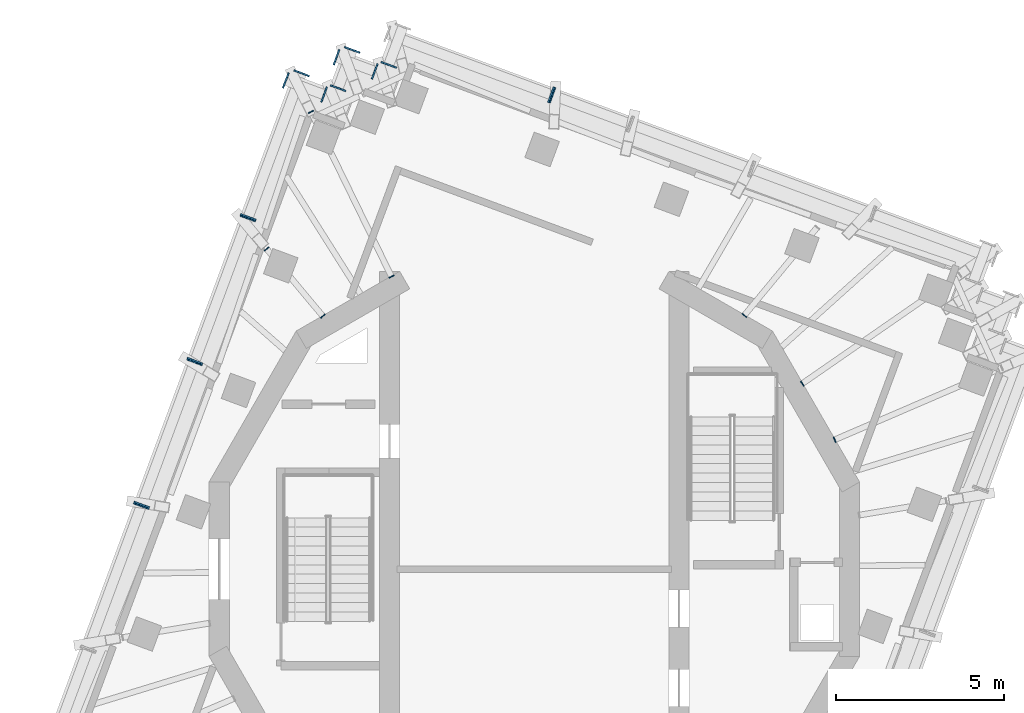
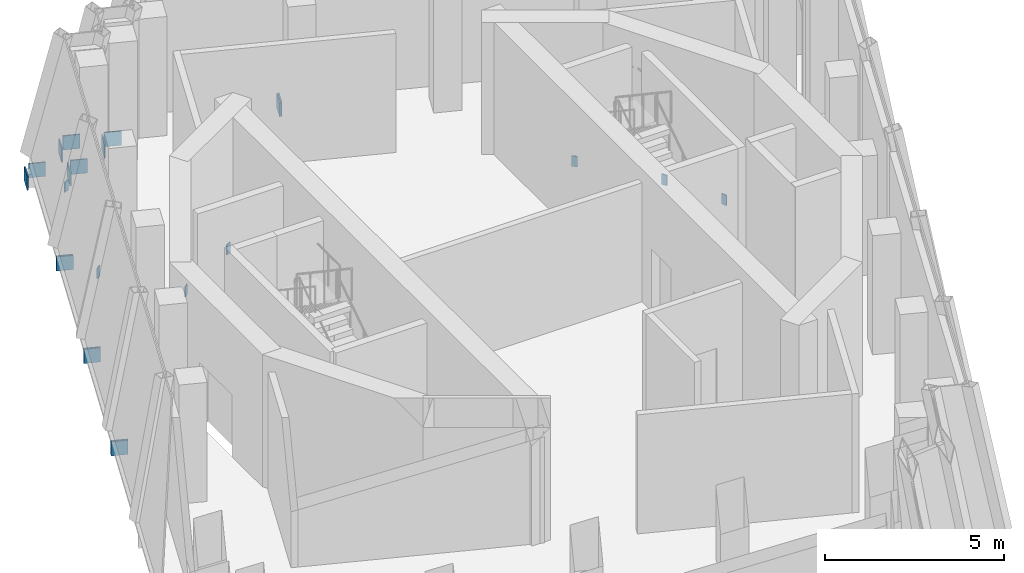
# One storey, part 9 of 11: 23 discrete accessories, 10 elements without a shape of their own.
"""IFC4 building model written with IfcOpenShell, lengths in metres."""

from ifc_helpers import new_model, si_unit, direction, frame, origin, place, context, subcontext, project, spatial, polyline, outline, extrude, material, layer, layer_set, type_object, element, aggregate, save


model = new_model("IFC4")

# Units and contexts
model_context = context("Model", 3, precision=1e-05, world=origin(), true_north=direction((0.0, 1.0)))
body_context = subcontext(model_context, "Body", "Model", "MODEL_VIEW")
ifc_project = project(units=[si_unit("LENGTHUNIT", "METRE"), si_unit("AREAUNIT", "SQUARE_METRE"), si_unit("VOLUMEUNIT", "CUBIC_METRE"), si_unit("PLANEANGLEUNIT", "RADIAN"), si_unit("MASSUNIT", "GRAM", prefix="KILO")], contexts=[model_context])

# Site, building, storey
site_placement = place(None, origin())
site = spatial("IfcSite", under=ifc_project, at=site_placement, CompositionType="ELEMENT")
building_placement = place(site_placement, origin())
building = spatial("IfcBuilding", under=site, at=building_placement, Name="Cantera Rosa Tower", CompositionType="ELEMENT")
storey_placement = place(building_placement, frame((0.0, 0.0, 365.199951171875)))
storey = spatial("IfcBuildingStorey", under=building, at=storey_placement, Name="L82", CompositionType="ELEMENT", Elevation=365.199951171875)

# Curtain wall, discrete accessory
ifc_material_1 = material(Name="Aluminium frame with clear glass", Category="aluminium")
curtain_wall_type = type_object("IfcCurtainWallType", Name="CW4 CROWN GLAZING", PredefinedType="NOTDEFINED", material=ifc_material_1)
curtain_wall_1_placement = place(storey_placement, origin())
curtain_wall_1 = element("IfcCurtainWall", 1, at=curtain_wall_1_placement, inside=storey, type_object=curtain_wall_type, Name="CW4 L82-04", PredefinedType="NOTDEFINED")
ifc_material_2 = material(Name="Steel S355J2 (EN 10025-2)", Category="steel")
ifc_layer = layer(ifc_material_2, 0.030029296875)
ifc_layer_set = layer_set([ifc_layer], Name="NODE PLATE 30")
discrete_accessory_type = type_object("IfcDiscreteAccessoryType", Name="NODE PLATE 30", PredefinedType="ANCHORPLATE", material=ifc_layer_set)
discrete_accessory_1_placement = place(storey_placement, frame((0.39453125, 13.871337890625, -0.43505859375), z_axis=(-0.937576914778, 0.347777987911, 0.0), x_axis=(0.347777987911, 0.937576914778, 0.0)))
discrete_accessory_1 = element("IfcDiscreteAccessory", 2, at=discrete_accessory_1_placement, type_object=discrete_accessory_type, Name="END PLATE TE1", PredefinedType="ANCHORPLATE", context=body_context, shape_type="SweptSolid", body=[
    extrude(outline(polyline([(0.0, 0.0), (0.4801689391068604, 0.0), (0.4801689391068604, 0.47998046875), (0.0, 0.47998046875), (0.0, 0.0)])), origin(), (0.0, 0.0, -1.0), 0.0400390625),
])
aggregate(curtain_wall_1, [discrete_accessory_1])

curtain_wall_2_placement = place(storey_placement, origin())
curtain_wall_2 = element("IfcCurtainWall", 3, at=curtain_wall_2_placement, inside=storey, type_object=curtain_wall_type, Name="CW4 L82-05", PredefinedType="NOTDEFINED")
discrete_accessory_2_placement = place(storey_placement, frame((0.636474609375, 14.293701171875, -0.43505859375), z_axis=(0.937742626232, -0.347330918501, 0.0), x_axis=(-0.347330918501, -0.937742626232, 0.0)))
discrete_accessory_2 = element("IfcDiscreteAccessory", 4, at=discrete_accessory_2_placement, type_object=discrete_accessory_type, Name="END PLATE TE0", PredefinedType="ANCHORPLATE", context=body_context, shape_type="SweptSolid", body=[
    extrude(outline(polyline([(0.0, 0.0), (0.4800840869406107, 0.0), (0.4800840869406107, 0.47998046875), (0.0, 0.47998046875), (0.0, 0.0)])), origin(), (0.0, 0.0, -1.0), 0.0400390625),
])
aggregate(curtain_wall_2, [discrete_accessory_2])

curtain_wall_3_placement = place(storey_placement, origin())
curtain_wall_3 = element("IfcCurtainWall", 5, at=curtain_wall_3_placement, inside=storey, type_object=curtain_wall_type, Name="CW4 L82-06", PredefinedType="NOTDEFINED")
discrete_accessory_3_placement = place(storey_placement, frame((-4.104248046875, 14.873046875, -0.43505859375), z_axis=(-0.347330918501, -0.937742626232, 0.0), x_axis=(-0.937742626232, 0.347330918501, 0.0)))
discrete_accessory_3 = element("IfcDiscreteAccessory", 6, at=discrete_accessory_3_placement, type_object=discrete_accessory_type, Name="END PLATE TE1", PredefinedType="ANCHORPLATE", context=body_context, shape_type="SweptSolid", body=[
    extrude(outline(polyline([(0.0, 0.0), (0.4800840869406107, 0.0), (0.4800840869406107, 0.47998046875), (0.0, 0.47998046875), (0.0, 0.0)])), origin(), (0.0, 0.0, -1.0), 0.0400390625),
])
aggregate(curtain_wall_3, [discrete_accessory_3])

# Curtain wall, discrete accessories
curtain_wall_4_placement = place(storey_placement, origin())
curtain_wall_4 = element("IfcCurtainWall", 7, at=curtain_wall_4_placement, inside=storey, type_object=curtain_wall_type, Name="CW4 L82-07", PredefinedType="NOTDEFINED")
discrete_accessory_4_placement = place(storey_placement, frame((-4.6376953125, 14.99951171875, -0.43505859375), z_axis=(0.937681233018, -0.347496626235, 0.0), x_axis=(-0.347496626235, -0.937681233018, 0.0)))
discrete_accessory_4 = element("IfcDiscreteAccessory", 8, at=discrete_accessory_4_placement, type_object=discrete_accessory_type, Name="END PLATE TE0", PredefinedType="ANCHORPLATE", context=body_context, shape_type="SweptSolid", body=[
    extrude(outline(polyline([(0.0, 0.0), (0.4798551533622547, 0.0), (0.4798551533622547, 0.47998046875), (0.0, 0.47998046875), (0.0, 0.0)])), origin(), (0.0, 0.0, -1.0), 0.0400390625),
])
discrete_accessory_5_placement = place(storey_placement, frame((-5.9775390625, 14.984130859375, -0.43505859375), z_axis=(-0.937576914778, 0.347777987911, 0.0), x_axis=(0.347777987911, 0.937576914778, 0.0)))
discrete_accessory_5 = element("IfcDiscreteAccessory", 9, at=discrete_accessory_5_placement, type_object=discrete_accessory_type, Name="END PLATE TE1", PredefinedType="ANCHORPLATE", context=body_context, shape_type="SweptSolid", body=[
    extrude(outline(polyline([(0.0, 0.0), (0.4801689391068604, 0.0), (0.4801689391068604, 0.47998046875), (0.0, 0.47998046875), (0.0, 0.0)])), origin(), (0.0, 0.0, -1.0), 0.0400390625),
])
aggregate(curtain_wall_4, [discrete_accessory_4, discrete_accessory_5])

curtain_wall_5_placement = place(storey_placement, origin())
curtain_wall_5 = element("IfcCurtainWall", 10, at=curtain_wall_5_placement, inside=storey, type_object=curtain_wall_type, Name="CW4 L82-08", PredefinedType="NOTDEFINED")
discrete_accessory_6_placement = place(storey_placement, frame((-5.625, 15.520751953125, -0.43505859375), z_axis=(0.347496626235, 0.937681233018, 0.0), x_axis=(0.937681233018, -0.347496626235, 0.0)))
discrete_accessory_6 = element("IfcDiscreteAccessory", 11, at=discrete_accessory_6_placement, type_object=discrete_accessory_type, Name="END PLATE TE0", PredefinedType="ANCHORPLATE", context=body_context, shape_type="SweptSolid", body=[
    extrude(outline(polyline([(0.0, 0.0), (0.4798551533622547, 0.0), (0.4798551533622547, 0.47998046875), (0.0, 0.47998046875), (0.0, 0.0)])), origin(), (0.0, 0.0, -1.0), 0.0400390625),
])
discrete_accessory_7_placement = place(storey_placement, frame((-5.609619140625, 14.180908203125, -0.43505859375), z_axis=(-0.347330918501, -0.937742626232, 0.0), x_axis=(-0.937742626232, 0.347330918501, 0.0)))
discrete_accessory_7 = element("IfcDiscreteAccessory", 12, at=discrete_accessory_7_placement, type_object=discrete_accessory_type, Name="END PLATE TE1", PredefinedType="ANCHORPLATE", context=body_context, shape_type="SweptSolid", body=[
    extrude(outline(polyline([(0.0, 0.0), (0.4800840869406107, 0.0), (0.4800840869406107, 0.47998046875), (0.0, 0.47998046875), (0.0, 0.0)])), origin(), (0.0, 0.0, -1.0), 0.0400390625),
])
aggregate(curtain_wall_5, [discrete_accessory_6, discrete_accessory_7])

curtain_wall_6_placement = place(storey_placement, origin())
curtain_wall_6 = element("IfcCurtainWall", 13, at=curtain_wall_6_placement, inside=storey, type_object=curtain_wall_type, Name="CW4 L82-09", PredefinedType="NOTDEFINED")
discrete_accessory_8_placement = place(storey_placement, frame((-6.143310546875, 14.308837890625, -0.43505859375), z_axis=(0.937576914778, -0.347777987911, 0.0), x_axis=(-0.347777987911, -0.937576914778, 0.0)))
discrete_accessory_8 = element("IfcDiscreteAccessory", 14, at=discrete_accessory_8_placement, type_object=discrete_accessory_type, Name="END PLATE TE0", PredefinedType="ANCHORPLATE", context=body_context, shape_type="SweptSolid", body=[
    extrude(outline(polyline([(0.0, 0.0), (0.4801689391068604, 0.0), (0.4801689391068604, 0.47998046875), (0.0, 0.47998046875), (0.0, 0.0)])), origin(), (0.0, 0.0, -1.0), 0.0400390625),
])
discrete_accessory_9_placement = place(storey_placement, frame((-7.483154296875, 14.29345703125, -0.43505859375), z_axis=(-0.937742626232, 0.347330918501, 0.0), x_axis=(0.347330918501, 0.937742626232, 0.0)))
discrete_accessory_9 = element("IfcDiscreteAccessory", 15, at=discrete_accessory_9_placement, type_object=discrete_accessory_type, Name="END PLATE TE1", PredefinedType="ANCHORPLATE", context=body_context, shape_type="SweptSolid", body=[
    extrude(outline(polyline([(0.0, 0.0), (0.4800840869406107, 0.0), (0.4800840869406107, 0.47998046875), (0.0, 0.47998046875), (0.0, 0.0)])), origin(), (0.0, 0.0, -1.0), 0.0400390625),
])
aggregate(curtain_wall_6, [discrete_accessory_8, discrete_accessory_9])

curtain_wall_7_placement = place(storey_placement, origin())
curtain_wall_7 = element("IfcCurtainWall", 16, at=curtain_wall_7_placement, inside=storey, type_object=curtain_wall_type, Name="CW4 L82-10", PredefinedType="NOTDEFINED")
discrete_accessory_10_placement = place(storey_placement, frame((-7.13037109375, 14.82861328125, -0.43505859375), z_axis=(0.347330918501, 0.937742626232, 0.0), x_axis=(0.937742626232, -0.347330918501, 0.0)))
discrete_accessory_10 = element("IfcDiscreteAccessory", 17, at=discrete_accessory_10_placement, type_object=discrete_accessory_type, Name="END PLATE TE0", PredefinedType="ANCHORPLATE", context=body_context, shape_type="SweptSolid", body=[
    extrude(outline(polyline([(0.0, 0.0), (0.4800840869406107, 0.0), (0.4800840869406107, 0.47998046875), (0.0, 0.47998046875), (0.0, 0.0)])), origin(), (0.0, 0.0, -1.0), 0.0400390625),
])
discrete_accessory_11_placement = place(storey_placement, frame((-8.290771484375, 10.31591796875, -0.43505859375), z_axis=(-0.347330918501, -0.937742626232, 0.0), x_axis=(-0.937742626232, 0.347330918501, 0.0)))
discrete_accessory_11 = element("IfcDiscreteAccessory", 18, at=discrete_accessory_11_placement, type_object=discrete_accessory_type, Name="END PLATE TE1", PredefinedType="ANCHORPLATE", context=body_context, shape_type="SweptSolid", body=[
    extrude(outline(polyline([(0.0, 0.0), (0.4800840869406107, 0.0), (0.4800840869406107, 0.47998046875), (0.0, 0.47998046875), (0.0, 0.0)])), origin(), (0.0, 0.0, -1.0), 0.0400390625),
])
aggregate(curtain_wall_7, [discrete_accessory_10, discrete_accessory_11])

curtain_wall_8_placement = place(storey_placement, origin())
curtain_wall_8 = element("IfcCurtainWall", 19, at=curtain_wall_8_placement, inside=storey, type_object=curtain_wall_type, Name="CW4 L82-11", PredefinedType="NOTDEFINED")
discrete_accessory_12_placement = place(storey_placement, frame((-8.713134765625, 10.5576171875, -0.43505859375), z_axis=(0.347330918501, 0.937742626232, 0.0), x_axis=(0.937742626232, -0.347330918501, 0.0)))
discrete_accessory_12 = element("IfcDiscreteAccessory", 20, at=discrete_accessory_12_placement, type_object=discrete_accessory_type, Name="END PLATE TE0", PredefinedType="ANCHORPLATE", context=body_context, shape_type="SweptSolid", body=[
    extrude(outline(polyline([(0.0, 0.0), (0.4800840869406107, 0.0), (0.4800840869406107, 0.47998046875), (0.0, 0.47998046875), (0.0, 0.0)])), origin(), (0.0, 0.0, -1.0), 0.0400390625),
])
discrete_accessory_13_placement = place(storey_placement, frame((-9.87353515625, 6.044921875, -0.43505859375), z_axis=(-0.347496626235, -0.937681233018, 0.0), x_axis=(-0.937681233018, 0.347496626235, 0.0)))
discrete_accessory_13 = element("IfcDiscreteAccessory", 21, at=discrete_accessory_13_placement, type_object=discrete_accessory_type, Name="END PLATE TE1", PredefinedType="ANCHORPLATE", context=body_context, shape_type="SweptSolid", body=[
    extrude(outline(polyline([(0.0, 0.0), (0.4798551533622547, 0.0), (0.4798551533622547, 0.47998046875), (0.0, 0.47998046875), (0.0, 0.0)])), origin(), (0.0, 0.0, -1.0), 0.0400390625),
])
aggregate(curtain_wall_8, [discrete_accessory_12, discrete_accessory_13])

curtain_wall_9_placement = place(storey_placement, origin())
curtain_wall_9 = element("IfcCurtainWall", 22, at=curtain_wall_9_placement, inside=storey, type_object=curtain_wall_type, Name="CW4 L82-12", PredefinedType="NOTDEFINED")
discrete_accessory_14_placement = place(storey_placement, frame((-10.295654296875, 6.28662109375, -0.43505859375), z_axis=(0.347496626235, 0.937681233018, 0.0), x_axis=(0.937681233018, -0.347496626235, 0.0)))
discrete_accessory_14 = element("IfcDiscreteAccessory", 23, at=discrete_accessory_14_placement, type_object=discrete_accessory_type, Name="END PLATE TE0", PredefinedType="ANCHORPLATE", context=body_context, shape_type="SweptSolid", body=[
    extrude(outline(polyline([(0.0, 0.0), (0.4798551533622547, 0.0), (0.4798551533622547, 0.47998046875), (0.0, 0.47998046875), (0.0, 0.0)])), origin(), (0.0, 0.0, -1.0), 0.0400390625),
])
discrete_accessory_15_placement = place(storey_placement, frame((-11.4560546875, 1.77392578125, -0.43505859375), z_axis=(-0.347330918501, -0.937742626232, 0.0), x_axis=(-0.937742626232, 0.347330918501, 0.0)))
discrete_accessory_15 = element("IfcDiscreteAccessory", 24, at=discrete_accessory_15_placement, type_object=discrete_accessory_type, Name="END PLATE TE1", PredefinedType="ANCHORPLATE", context=body_context, shape_type="SweptSolid", body=[
    extrude(outline(polyline([(0.0, 0.0), (0.4800840869406107, 0.0), (0.4800840869406107, 0.47998046875), (0.0, 0.47998046875), (0.0, 0.0)])), origin(), (0.0, 0.0, -1.0), 0.0400390625),
])
aggregate(curtain_wall_9, [discrete_accessory_14, discrete_accessory_15])

# Curtain wall, discrete accessory
curtain_wall_10_placement = place(storey_placement, origin())
curtain_wall_10 = element("IfcCurtainWall", 25, at=curtain_wall_10_placement, inside=storey, type_object=curtain_wall_type, Name="CW4 L82-13", PredefinedType="NOTDEFINED")
discrete_accessory_16_placement = place(storey_placement, frame((-11.87841796875, 2.015869140625, -0.43505859375), z_axis=(0.347943850259, 0.93751537431, 0.0), x_axis=(0.93751537431, -0.347943850259, 0.0)))
discrete_accessory_16 = element("IfcDiscreteAccessory", 26, at=discrete_accessory_16_placement, type_object=discrete_accessory_type, Name="END PLATE TE0", PredefinedType="ANCHORPLATE", context=body_context, shape_type="SweptSolid", body=[
    extrude(outline(polyline([(0.0, 0.0), (0.47994004600337425, 0.0), (0.47994004600337425, 0.47998046875), (0.0, 0.47998046875), (0.0, 0.0)])), origin(), (0.0, 0.0, -1.0), 0.0400390625),
])
aggregate(curtain_wall_10, [discrete_accessory_16])

# Discrete accessories
discrete_accessory_17_placement = place(storey_placement, frame((0.0, 0.0, -0.805908203125)))
element("IfcDiscreteAccessory", 27, at=discrete_accessory_17_placement, inside=storey, type_object=discrete_accessory_type, Name="END PLATE CG-Z6-01 L82 B", PredefinedType="ANCHORPLATE", context=body_context, shape_type="SweptSolid", body=[
    extrude(outline(polyline([(8.016845703125, 5.447021484375), (7.9921875, 5.429931640625), (7.894775390625, 5.570556640625), (7.91943359375, 5.587646484375), (8.016845703125, 5.447021484375)])), origin(), (0.0, 0.0, 1.0), 0.35595703125),
])
discrete_accessory_18_placement = place(storey_placement, frame((0.0, 0.0, -0.805908203125)))
element("IfcDiscreteAccessory", 28, at=discrete_accessory_18_placement, inside=storey, type_object=discrete_accessory_type, Name="END PLATE CG-Z6-02 L82 B", PredefinedType="ANCHORPLATE", context=body_context, shape_type="SweptSolid", body=[
    extrude(outline(polyline([(6.3115234375, 7.4931640625), (6.292236328125, 7.469970703125), (6.16064453125, 7.5791015625), (6.1796875, 7.602294921875), (6.3115234375, 7.4931640625)])), origin(), (0.0, 0.0, 1.0), 0.35595703125),
])
discrete_accessory_19_placement = place(storey_placement, frame((0.0, 0.0, -0.805908203125)))
element("IfcDiscreteAccessory", 29, at=discrete_accessory_19_placement, inside=storey, type_object=discrete_accessory_type, Name="END PLATE CG-Z6-03 L82 A", PredefinedType="ANCHORPLATE", context=body_context, shape_type="SweptSolid", body=[
    extrude(outline(polyline([(-6.703125, 13.52880859375), (-6.716064453125, 13.5556640625), (-6.5625, 13.630859375), (-6.54931640625, 13.603759765625), (-6.703125, 13.52880859375)])), origin(), (0.0, 0.0, 1.0), 0.35595703125),
])
discrete_accessory_20_placement = place(storey_placement, frame((0.0, 0.0, -0.805908203125)))
element("IfcDiscreteAccessory", 30, at=discrete_accessory_20_placement, inside=storey, type_object=discrete_accessory_type, Name="END PLATE CG-Z6-03 L82 B", PredefinedType="ANCHORPLATE", context=body_context, shape_type="SweptSolid", body=[
    extrude(outline(polyline([(-4.172607421875, 8.73779296875), (-4.159423828125, 8.710693359375), (-4.31298828125, 8.6357421875), (-4.326171875, 8.66259765625), (-4.172607421875, 8.73779296875)])), origin(), (0.0, 0.0, 1.0), 0.35595703125),
])
discrete_accessory_21_placement = place(storey_placement, frame((0.0, 0.0, -0.805908203125)))
element("IfcDiscreteAccessory", 31, at=discrete_accessory_21_placement, inside=storey, type_object=discrete_accessory_type, Name="END PLATE CG-Z6-04 L82 A", PredefinedType="ANCHORPLATE", context=body_context, shape_type="SweptSolid", body=[
    extrude(outline(polyline([(-8.006591796875, 9.4443359375), (-8.02587890625, 9.46728515625), (-7.894775390625, 9.5771484375), (-7.87548828125, 9.553955078125), (-8.006591796875, 9.4443359375)])), origin(), (0.0, 0.0, 1.0), 0.35595703125),
])
discrete_accessory_22_placement = place(storey_placement, frame((0.0, 0.0, -0.805908203125)))
element("IfcDiscreteAccessory", 32, at=discrete_accessory_22_placement, inside=storey, type_object=discrete_accessory_type, Name="END PLATE CG-Z6-04 L82 B", PredefinedType="ANCHORPLATE", context=body_context, shape_type="SweptSolid", body=[
    extrude(outline(polyline([(-6.22314453125, 7.57763671875), (-6.203857421875, 7.554443359375), (-6.335205078125, 7.44482421875), (-6.354248046875, 7.4677734375), (-6.22314453125, 7.57763671875)])), origin(), (0.0, 0.0, 1.0), 0.35595703125),
])
discrete_accessory_23_placement = place(storey_placement, frame((0.0, 0.0, -0.805908203125)))
element("IfcDiscreteAccessory", 33, at=discrete_accessory_23_placement, inside=storey, type_object=discrete_accessory_type, Name="END PLATE CG-Z6-12 L82 B", PredefinedType="ANCHORPLATE", context=body_context, shape_type="SweptSolid", body=[
    extrude(outline(polyline([(8.96630859375, 3.7685546875), (8.938720703125, 3.756591796875), (8.87109375, 3.913818359375), (8.898681640625, 3.925537109375), (8.96630859375, 3.7685546875)])), origin(), (0.0, 0.0, 1.0), 0.35595703125),
])

save(model, "model.ifc")
